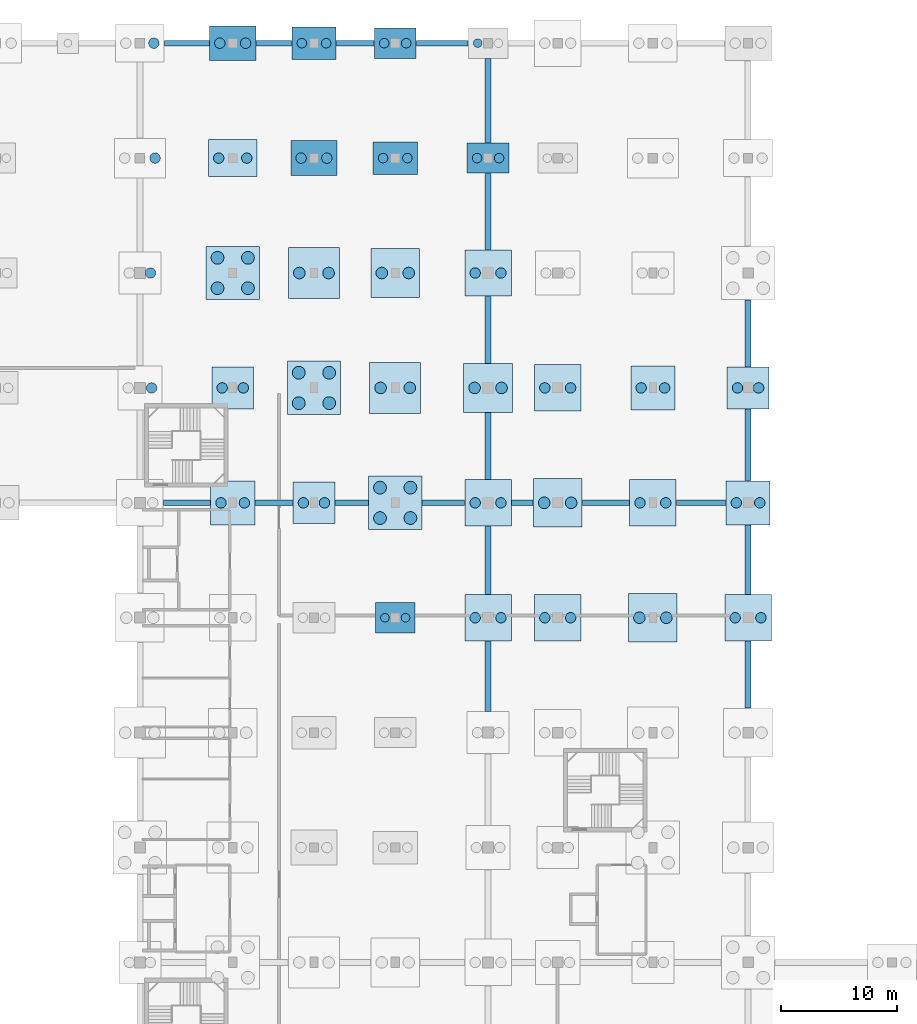
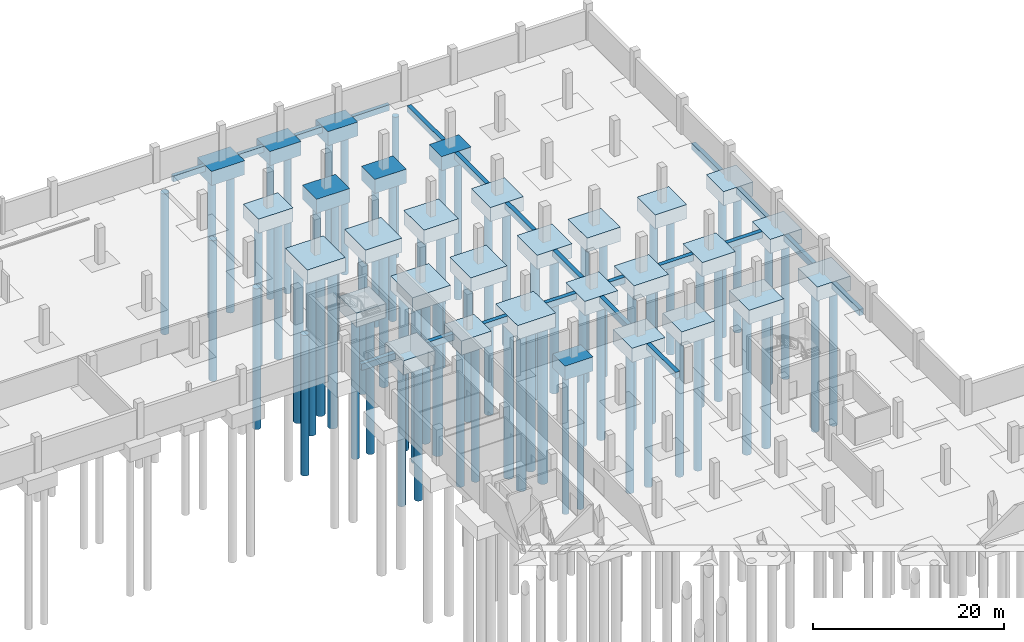
# One storey, part 4 of 30: 71 piles, 51 footings.
"""IFC4 building model written with IfcOpenShell, lengths in metres."""

from ifc_helpers import new_model, si_unit, direction, frame, origin, origin_2d, place, context, subcontext, project, spatial, rectangle, circle, extrude, material, layer, layer_set, material_profile, profile_set, type_object, element, save


model = new_model("IFC4")

# Units and contexts
model_context = context("Model", 3, precision=1e-05, world=origin(), true_north=direction((0.0, 1.0)))
body_context = subcontext(model_context, "Body", "Model", "MODEL_VIEW")
ifc_project = project(units=[si_unit("LENGTHUNIT", "METRE"), si_unit("AREAUNIT", "SQUARE_METRE"), si_unit("VOLUMEUNIT", "CUBIC_METRE"), si_unit("PLANEANGLEUNIT", "RADIAN"), si_unit("MASSUNIT", "GRAM", prefix="KILO")], contexts=[model_context])

# Site, building, storey
site_placement = place(None, origin())
site = spatial("IfcSite", under=ifc_project, at=site_placement, CompositionType="ELEMENT")
building_placement = place(site_placement, origin())
building = spatial("IfcBuilding", under=site, at=building_placement, Name="Sillaruma Civic Art Gallery", CompositionType="ELEMENT")
storey_placement = place(building_placement, frame((0.0, 0.0, -9.179931640625)))
storey = spatial("IfcBuildingStorey", under=building, at=storey_placement, Name="B02", CompositionType="ELEMENT", Elevation=-9.179931640625)

# Footings
ifc_material = material(Name="Concrete H35 (35 MPa)", Category="concrete")
ifc_material_profile_1 = material_profile(ifc_material, rectangle(XDim=0.449951171875, YDim=0.75, at=origin_2d()), Name="RCB450x750")
ifc_profile_set_1 = profile_set([ifc_material_profile_1], Name="Concrete H35 (35 MPa)")
footing_type_1 = type_object("IfcFootingType", Name="FTG-FB-450x750", PredefinedType="FOOTING_BEAM", material=ifc_profile_set_1)
footing_1_placement = place(storey_placement, frame((64.1201171875, 118.800048828125, -0.375), z_axis=(1.0, 0.0, 0.0), x_axis=(0.0, 1.0, 0.0)))
element("IfcFooting", 1, at=footing_1_placement, inside=storey, type_object=footing_type_1, Name="Foundation Tie Beam FB-02 (13:F-G:1)", PredefinedType="FOOTING_BEAM", context=body_context, shape_type="SweptSolid", body=[
    extrude(rectangle(XDim=0.449951171875, YDim=0.75, at=origin_2d()), origin(), (0.0, 0.0, 1.0), 3.85986328125),
])
footing_2_placement = place(storey_placement, frame((72.02001953125, 118.800048828125, -0.375), z_axis=(1.0, 0.0, 0.0), x_axis=(0.0, 1.0, 0.0)))
element("IfcFooting", 2, at=footing_2_placement, inside=storey, type_object=footing_type_1, Name="Foundation Tie Beam FB-02 (13:G-H:1)", PredefinedType="FOOTING_BEAM", context=body_context, shape_type="SweptSolid", body=[
    extrude(rectangle(XDim=0.449951171875, YDim=0.75, at=origin_2d()), origin(), (0.0, 0.0, 1.0), 3.06005859375),
])
footing_3_placement = place(storey_placement, frame((78.919921875, 118.800048828125, -0.375), z_axis=(1.0, 0.0, 0.0), x_axis=(0.0, 1.0, 0.0)))
element("IfcFooting", 3, at=footing_3_placement, inside=storey, type_object=footing_type_1, Name="Foundation Tie Beam FB-02 (13:H-J:1)", PredefinedType="FOOTING_BEAM", context=body_context, shape_type="SweptSolid", body=[
    extrude(rectangle(XDim=0.449951171875, YDim=0.75, at=origin_2d()), origin(), (0.0, 0.0, 1.0), 3.260009765625),
])
footing_4_placement = place(storey_placement, frame((85.820068359375, 118.800048828125, -0.375), z_axis=(1.0, 0.0, 0.0), x_axis=(0.0, 1.0, 0.0)))
element("IfcFooting", 4, at=footing_4_placement, inside=storey, type_object=footing_type_1, Name="Foundation Tie Beam FB-02 (13:J-K:1)", PredefinedType="FOOTING_BEAM", context=body_context, shape_type="SweptSolid", body=[
    extrude(rectangle(XDim=0.449951171875, YDim=0.75, at=origin_2d()), origin(), (0.0, 0.0, 1.0), 4.4599609375),
])
ifc_material_profile_2 = material_profile(ifc_material, rectangle(XDim=0.5, YDim=0.800048828125, at=origin_2d()), Name="RCB500x800")
ifc_profile_set_2 = profile_set([ifc_material_profile_2], Name="Concrete H35 (35 MPa)")
footing_type_2 = type_object("IfcFootingType", Name="FTG-FB-500x800", PredefinedType="FOOTING_BEAM", material=ifc_profile_set_2)
footing_5_placement = place(storey_placement, frame((64.02001953125, 79.199951171875, -0.400146484375), z_axis=(1.0, 0.0, 0.0), x_axis=(0.0, 1.0, 0.0)))
element("IfcFooting", 5, at=footing_5_placement, inside=storey, type_object=footing_type_2, Name="Foundation Tie Beam FB-01 (9:F-G:1)", PredefinedType="FOOTING_BEAM", context=body_context, shape_type="SweptSolid", body=[
    extrude(rectangle(XDim=0.5, YDim=0.800048828125, at=origin_2d()), origin(), (0.0, 0.0, 1.0), 4.06005859375),
])
footing_6_placement = place(storey_placement, frame((71.919921875, 79.199951171875, -0.400146484375), z_axis=(1.0, 0.0, 0.0), x_axis=(0.0, 1.0, 0.0)))
element("IfcFooting", 6, at=footing_6_placement, inside=storey, type_object=footing_type_2, Name="Foundation Tie Beam FB-01 (9:G-H:1)", PredefinedType="FOOTING_BEAM", context=body_context, shape_type="SweptSolid", body=[
    extrude(rectangle(XDim=0.5, YDim=0.800048828125, at=origin_2d()), origin(), (0.0, 0.0, 1.0), 3.260009765625),
])
footing_7_placement = place(storey_placement, frame((78.820068359375, 79.199951171875, -0.400146484375), z_axis=(1.0, 0.0, 0.0), x_axis=(0.0, 1.0, 0.0)))
element("IfcFooting", 7, at=footing_7_placement, inside=storey, type_object=footing_type_2, Name="Foundation Tie Beam FB-01 (9:H-J:1)", PredefinedType="FOOTING_BEAM", context=body_context, shape_type="SweptSolid", body=[
    extrude(rectangle(XDim=0.5, YDim=0.800048828125, at=origin_2d()), origin(), (0.0, 0.0, 1.0), 2.85986328125),
])
footing_8_placement = place(storey_placement, frame((86.320068359375, 79.199951171875, -0.400146484375), z_axis=(1.0, 0.0, 0.0), x_axis=(0.0, 1.0, 0.0)))
element("IfcFooting", 8, at=footing_8_placement, inside=storey, type_object=footing_type_2, Name="Foundation Tie Beam FB-01 (9:J-K:1)", PredefinedType="FOOTING_BEAM", context=body_context, shape_type="SweptSolid", body=[
    extrude(rectangle(XDim=0.5, YDim=0.800048828125, at=origin_2d()), origin(), (0.0, 0.0, 1.0), 3.659912109375),
])
footing_9_placement = place(storey_placement, frame((94.02001953125, 79.199951171875, -0.400146484375), z_axis=(1.0, 0.0, 0.0), x_axis=(0.0, 1.0, 0.0)))
element("IfcFooting", 9, at=footing_9_placement, inside=storey, type_object=footing_type_2, Name="Foundation Tie Beam FB-01 (9:K-L:1)", PredefinedType="FOOTING_BEAM", context=body_context, shape_type="SweptSolid", body=[
    extrude(rectangle(XDim=0.5, YDim=0.800048828125, at=origin_2d()), origin(), (0.0, 0.0, 1.0), 1.85986328125),
])
footing_10_placement = place(storey_placement, frame((100.1201171875, 79.199951171875, -0.400146484375), z_axis=(1.0, 0.0, 0.0), x_axis=(0.0, 1.0, 0.0)))
element("IfcFooting", 10, at=footing_10_placement, inside=storey, type_object=footing_type_2, Name="Foundation Tie Beam FB-01 (9:L-M:1)", PredefinedType="FOOTING_BEAM", context=body_context, shape_type="SweptSolid", body=[
    extrude(rectangle(XDim=0.5, YDim=0.800048828125, at=origin_2d()), origin(), (0.0, 0.0, 1.0), 4.059814453125),
])
footing_11_placement = place(storey_placement, frame((108.219970703125, 79.199951171875, -0.400146484375), z_axis=(1.0, 0.0, 0.0), x_axis=(0.0, 1.0, 0.0)))
element("IfcFooting", 11, at=footing_11_placement, inside=storey, type_object=footing_type_2, Name="Foundation Tie Beam FB-01 (9:M-N:1)", PredefinedType="FOOTING_BEAM", context=body_context, shape_type="SweptSolid", body=[
    extrude(rectangle(XDim=0.5, YDim=0.800048828125, at=origin_2d()), origin(), (0.0, 0.0, 1.0), 4.260009765625),
])
footing_12_placement = place(storey_placement, frame((92.0, 61.219970703125, -0.400146484375), z_axis=(0.0, 1.0, 0.0), x_axis=(-1.0, 0.0, 0.0)))
element("IfcFooting", 12, at=footing_12_placement, inside=storey, type_object=footing_type_2, Name="Foundation Tie Beam FB-01 (K:7-8)", PredefinedType="FOOTING_BEAM", context=body_context, shape_type="SweptSolid", body=[
    extrude(rectangle(XDim=0.5, YDim=0.800048828125, at=origin_2d()), origin(), (0.0, 0.0, 1.0), 6.06005859375),
])
footing_13_placement = place(storey_placement, frame((92.0, 71.320068359375, -0.400146484375), z_axis=(0.0, 1.0, 0.0), x_axis=(-1.0, 0.0, 0.0)))
element("IfcFooting", 13, at=footing_13_placement, inside=storey, type_object=footing_type_2, Name="Foundation Tie Beam FB-01 (K:8-9)", PredefinedType="FOOTING_BEAM", context=body_context, shape_type="SweptSolid", body=[
    extrude(rectangle(XDim=0.5, YDim=0.800048828125, at=origin_2d()), origin(), (0.0, 0.0, 1.0), 5.85986328125),
])
for number, where, z_axis, x_axis, name in (
    (14, (92.0, 81.219970703125, -0.400146484375), (0.0, 1.0, 0.0), (-1.0, 0.0, 0.0), "Foundation Tie Beam FB-01 (K:9-10)"),
    (15, (92.0, 91.219970703125, -0.400146484375), (0.0, 1.0, 0.0), (-1.0, 0.0, 0.0), "Foundation Tie Beam FB-01 (K:10-11)"),
):
    element("IfcFooting", number, at=place(storey_placement, frame(where, z_axis=z_axis, x_axis=x_axis)), inside=storey, type_object=footing_type_2, Name=name, PredefinedType="FOOTING_BEAM", context=body_context, shape_type="SweptSolid", body=[
        extrude(rectangle(XDim=0.5, YDim=0.800048828125, at=origin_2d()), origin(), (0.0, 0.0, 1.0), 5.760009765625),
    ])
footing_14_placement = place(storey_placement, frame((92.0, 101.02001953125, -0.400146484375), z_axis=(0.0, 1.0, 0.0), x_axis=(-1.0, 0.0, 0.0)))
element("IfcFooting", 16, at=footing_14_placement, inside=storey, type_object=footing_type_2, Name="Foundation Tie Beam FB-01 (K:11-12)", PredefinedType="FOOTING_BEAM", context=body_context, shape_type="SweptSolid", body=[
    extrude(rectangle(XDim=0.5, YDim=0.800048828125, at=origin_2d()), origin(), (0.0, 0.0, 1.0), 6.56005859375),
])
footing_15_placement = place(storey_placement, frame((92.0, 110.219970703125, -0.400146484375), z_axis=(0.0, 1.0, 0.0), x_axis=(-1.0, 0.0, 0.0)))
element("IfcFooting", 17, at=footing_15_placement, inside=storey, type_object=footing_type_2, Name="Foundation Tie Beam FB-01 (K:12-13)", PredefinedType="FOOTING_BEAM", context=body_context, shape_type="SweptSolid", body=[
    extrude(rectangle(XDim=0.5, YDim=0.800048828125, at=origin_2d()), origin(), (0.0, 0.0, 1.0), 7.260009765625),
])
footing_16_placement = place(storey_placement, frame((114.39990234375, 61.52001953125, -0.400146484375), z_axis=(0.0, 1.0, 0.0), x_axis=(-1.0, 0.0, 0.0)))
element("IfcFooting", 18, at=footing_16_placement, inside=storey, type_object=footing_type_2, Name="Foundation Tie Beam FB-01 (N:7-8)", PredefinedType="FOOTING_BEAM", context=body_context, shape_type="SweptSolid", body=[
    extrude(rectangle(XDim=0.5, YDim=0.800048828125, at=origin_2d()), origin(), (0.0, 0.0, 1.0), 5.760009765625),
])
footing_17_placement = place(storey_placement, frame((114.39990234375, 71.320068359375, -0.400146484375), z_axis=(0.0, 1.0, 0.0), x_axis=(-1.0, 0.0, 0.0)))
element("IfcFooting", 19, at=footing_17_placement, inside=storey, type_object=footing_type_2, Name="Foundation Tie Beam FB-01 (N:8-9)", PredefinedType="FOOTING_BEAM", context=body_context, shape_type="SweptSolid", body=[
    extrude(rectangle(XDim=0.5, YDim=0.800048828125, at=origin_2d()), origin(), (0.0, 0.0, 1.0), 5.9599609375),
])
footing_18_placement = place(storey_placement, frame((114.39990234375, 81.1201171875, -0.400146484375), z_axis=(0.0, 1.0, 0.0), x_axis=(-1.0, 0.0, 0.0)))
element("IfcFooting", 20, at=footing_18_placement, inside=storey, type_object=footing_type_2, Name="Foundation Tie Beam FB-01 (N:9-10)", PredefinedType="FOOTING_BEAM", context=body_context, shape_type="SweptSolid", body=[
    extrude(rectangle(XDim=0.5, YDim=0.800048828125, at=origin_2d()), origin(), (0.0, 0.0, 1.0), 6.159912109375),
])
footing_19_placement = place(storey_placement, frame((114.39990234375, 90.919921875, -0.400146484375), z_axis=(0.0, 1.0, 0.0), x_axis=(-1.0, 0.0, 0.0)))
element("IfcFooting", 21, at=footing_19_placement, inside=storey, type_object=footing_type_2, Name="Foundation Tie Beam FB-01 (N:10-11)", PredefinedType="FOOTING_BEAM", context=body_context, shape_type="SweptSolid", body=[
    extrude(rectangle(XDim=0.5, YDim=0.800048828125, at=origin_2d()), origin(), (0.0, 0.0, 1.0), 5.760009765625),
])
ifc_layer_1 = layer(ifc_material, 1.800048828125, Name="Concrete H35 (35 MPa)")
ifc_layer_set_1 = layer_set([ifc_layer_1], Name="Concrete H35 (35 MPa)")
footing_type_3 = type_object("IfcFootingType", Name="FTG-PC-34x26", PredefinedType="PILE_CAP", material=ifc_layer_set_1)
footing_20_placement = place(storey_placement, frame((84.0, 69.300048828125, -1.80029296875), z_axis=(0.0, 0.0, 1.0), x_axis=(1.0, 0.0, 0.0)))
element("IfcFooting", 22, at=footing_20_placement, inside=storey, type_object=footing_type_3, Name="Pile Cap PC-12 (J8)", PredefinedType="PILE_CAP", context=body_context, shape_type="SweptSolid", body=[
    extrude(rectangle(XDim=3.39990234375, YDim=2.60009765625, at=origin_2d()), origin(), (0.0, 0.0, 1.0), 1.800048828125),
])
ifc_layer_2 = layer(ifc_material, 1.800048828125, Name="Concrete H35 (35 MPa)")
ifc_layer_set_2 = layer_set([ifc_layer_2], Name="Concrete H35 (35 MPa)")
footing_type_4 = type_object("IfcFootingType", Name="FTG-PC-36x26", PredefinedType="PILE_CAP", material=ifc_layer_set_2)
for number, where, z_axis, x_axis, name in (
    (23, (84.0, 118.800048828125, -1.80029296875), (0.0, 0.0, 1.0), (1.0, 0.0, 0.0), "Pile Cap PC-11 (J13)"),
    (24, (92.0, 108.89990234375, -1.80029296875), (0.0, 0.0, 1.0), (1.0, 0.0, 0.0), "Pile Cap PC-11 (K12)"),
):
    element("IfcFooting", number, at=place(storey_placement, frame(where, z_axis=z_axis, x_axis=x_axis)), inside=storey, type_object=footing_type_4, Name=name, PredefinedType="PILE_CAP", context=body_context, shape_type="SweptSolid", body=[
        extrude(rectangle(XDim=3.60009765625, YDim=2.60009765625, at=origin_2d()), origin(), (0.0, 0.0, 1.0), 1.800048828125),
    ])
ifc_layer_3 = layer(ifc_material, 1.800048828125, Name="Concrete H35 (35 MPa)")
ifc_layer_set_3 = layer_set([ifc_layer_3], Name="Concrete H35 (35 MPa)")
footing_type_5 = type_object("IfcFootingType", Name="FTG-PC-36x36", PredefinedType="PILE_CAP", material=ifc_layer_set_3)
for number, where, z_axis, x_axis, name in (
    (25, (70.0, 89.10009765625, -1.80029296875), (0.0, 0.0, 1.0), (1.0, 0.0, 0.0), "Pile Cap PC-06 (G10)"),
    (26, (77.0, 79.199951171875, -1.80029296875), (0.0, 0.0, 1.0), (1.0, 0.0, 0.0), "Pile Cap PC-06 (H9)"),
    (27, (114.39990234375, 89.10009765625, -1.80029296875), (0.0, 0.0, 1.0), (1.0, 0.0, 0.0), "Pile Cap PC-06 (N10)"),
):
    element("IfcFooting", number, at=place(storey_placement, frame(where, z_axis=z_axis, x_axis=x_axis)), inside=storey, type_object=footing_type_5, Name=name, PredefinedType="PILE_CAP", context=body_context, shape_type="SweptSolid", body=[
        extrude(rectangle(XDim=3.60009765625, YDim=3.60009765625, at=origin_2d()), origin(), (0.0, 0.0, 1.0), 1.800048828125),
    ])
ifc_layer_4 = layer(ifc_material, 1.800048828125, Name="Concrete H35 (35 MPa)")
ifc_layer_set_4 = layer_set([ifc_layer_4], Name="Concrete H35 (35 MPa)")
footing_type_6 = type_object("IfcFootingType", Name="FTG-PC-38x28", PredefinedType="PILE_CAP", material=ifc_layer_set_4)
for number, where, z_axis, x_axis, name in (
    (28, (77.0, 118.800048828125, -1.80029296875), (0.0, 0.0, 1.0), (1.0, 0.0, 0.0), "Pile Cap PC-10 (H13)"),
    (29, (84.0, 108.89990234375, -1.80029296875), (0.0, 0.0, 1.0), (1.0, 0.0, 0.0), "Pile Cap PC-10 (J12)"),
):
    element("IfcFooting", number, at=place(storey_placement, frame(where, z_axis=z_axis, x_axis=x_axis)), inside=storey, type_object=footing_type_6, Name=name, PredefinedType="PILE_CAP", context=body_context, shape_type="SweptSolid", body=[
        extrude(rectangle(XDim=3.800048828125, YDim=2.800048828125, at=origin_2d()), origin(), (0.0, 0.0, 1.0), 1.800048828125),
    ])
ifc_layer_5 = layer(ifc_material, 1.800048828125, Name="Concrete H35 (35 MPa)")
ifc_layer_set_5 = layer_set([ifc_layer_5], Name="Concrete H35 (35 MPa)")
footing_type_7 = type_object("IfcFootingType", Name="FTG-PC-38x38", PredefinedType="PILE_CAP", material=ifc_layer_set_5)
for number, where, z_axis, x_axis, name in (
    (30, (70.0, 79.199951171875, -1.80029296875), (0.0, 0.0, 1.0), (1.0, 0.0, 0.0), "Pile Cap PC-05 (G9)"),
    (31, (106.199951171875, 89.10009765625, -1.80029296875), (0.0, 0.0, 1.0), (1.0, 0.0, 0.0), "Pile Cap PC-05 (M10)"),
    (32, (114.39990234375, 79.199951171875, -1.80029296875), (0.0, 0.0, 1.0), (1.0, 0.0, 0.0), "Pile Cap PC-05 (N9)"),
):
    element("IfcFooting", number, at=place(storey_placement, frame(where, z_axis=z_axis, x_axis=x_axis)), inside=storey, type_object=footing_type_7, Name=name, PredefinedType="PILE_CAP", context=body_context, shape_type="SweptSolid", body=[
        extrude(rectangle(XDim=3.800048828125, YDim=3.800048828125, at=origin_2d()), origin(), (0.0, 0.0, 1.0), 1.800048828125),
    ])
ifc_layer_6 = layer(ifc_material, 1.800048828125, Name="Concrete H35 (35 MPa)")
ifc_layer_set_6 = layer_set([ifc_layer_6], Name="Concrete H35 (35 MPa)")
footing_type_8 = type_object("IfcFootingType", Name="FTG-PC-40x30", PredefinedType="PILE_CAP", material=ifc_layer_set_6)
for number, where, z_axis, x_axis, name in (
    (33, (70.0, 118.800048828125, -1.80029296875), (0.0, 0.0, 1.0), (1.0, 0.0, 0.0), "Pile Cap PC-09 (G13)"),
    (34, (77.0, 108.89990234375, -1.80029296875), (0.0, 0.0, 1.0), (1.0, 0.0, 0.0), "Pile Cap PC-09 (H12)"),
):
    element("IfcFooting", number, at=place(storey_placement, frame(where, z_axis=z_axis, x_axis=x_axis)), inside=storey, type_object=footing_type_8, Name=name, PredefinedType="PILE_CAP", context=body_context, shape_type="SweptSolid", body=[
        extrude(rectangle(XDim=4.0, YDim=3.0, at=origin_2d()), origin(), (0.0, 0.0, 1.0), 1.800048828125),
    ])
ifc_layer_7 = layer(ifc_material, 1.800048828125, Name="Concrete H35 (35 MPa)")
ifc_layer_set_7 = layer_set([ifc_layer_7], Name="Concrete H35 (35 MPa)")
footing_type_9 = type_object("IfcFootingType", Name="FTG-PC-40x40", PredefinedType="PILE_CAP", material=ifc_layer_set_7)
for number, where, z_axis, x_axis, name in (
    (35, (92.0, 69.300048828125, -1.80029296875), (0.0, 0.0, 1.0), (1.0, 0.0, 0.0), "Pile Cap PC-04 (K8)"),
    (36, (92.0, 79.199951171875, -1.80029296875), (0.0, 0.0, 1.0), (1.0, 0.0, 0.0), "Pile Cap PC-04 (K9)"),
    (37, (92.0, 99.0, -1.80029296875), (0.0, 0.0, 1.0), (1.0, 0.0, 0.0), "Pile Cap PC-04 (K11)"),
    (38, (98.0, 69.300048828125, -1.80029296875), (0.0, 0.0, 1.0), (1.0, 0.0, 0.0), "Pile Cap PC-04 (L8)"),
    (39, (98.0, 89.10009765625, -1.80029296875), (0.0, 0.0, 1.0), (1.0, 0.0, 0.0), "Pile Cap PC-04 (L10)"),
    (40, (106.199951171875, 79.199951171875, -1.80029296875), (0.0, 0.0, 1.0), (1.0, 0.0, 0.0), "Pile Cap PC-04 (M9)"),
    (41, (114.39990234375, 69.300048828125, -1.80029296875), (0.0, 0.0, 1.0), (1.0, 0.0, 0.0), "Pile Cap PC-04 (N8)"),
):
    element("IfcFooting", number, at=place(storey_placement, frame(where, z_axis=z_axis, x_axis=x_axis)), inside=storey, type_object=footing_type_9, Name=name, PredefinedType="PILE_CAP", context=body_context, shape_type="SweptSolid", body=[
        extrude(rectangle(XDim=4.0, YDim=4.0, at=origin_2d()), origin(), (0.0, 0.0, 1.0), 1.800048828125),
    ])
ifc_layer_8 = layer(ifc_material, 1.800048828125, Name="Concrete H35 (35 MPa)")
ifc_layer_set_8 = layer_set([ifc_layer_8], Name="Concrete H35 (35 MPa)")
footing_type_10 = type_object("IfcFootingType", Name="FTG-PC-42x32", PredefinedType="PILE_CAP", material=ifc_layer_set_8)
footing_21_placement = place(storey_placement, frame((70.0, 108.89990234375, -1.80029296875), z_axis=(0.0, 0.0, 1.0), x_axis=(1.0, 0.0, 0.0)))
element("IfcFooting", 42, at=footing_21_placement, inside=storey, type_object=footing_type_10, Name="Pile Cap PC-08 (G12)", PredefinedType="PILE_CAP", context=body_context, shape_type="SweptSolid", body=[
    extrude(rectangle(XDim=4.199951171875, YDim=3.199951171875, at=origin_2d()), origin(), (0.0, 0.0, 1.0), 1.800048828125),
])
ifc_layer_9 = layer(ifc_material, 1.800048828125, Name="Concrete H35 (35 MPa)")
ifc_layer_set_9 = layer_set([ifc_layer_9], Name="Concrete H35 (35 MPa)")
footing_type_11 = type_object("IfcFootingType", Name="FTG-PC-42x42", PredefinedType="PILE_CAP", material=ifc_layer_set_9)
for number, where, z_axis, x_axis, name in (
    (43, (84.0, 99.0, -1.80029296875), (0.0, 0.0, 1.0), (1.0, 0.0, 0.0), "Pile Cap PC-03 (J11)"),
    (44, (92.0, 89.10009765625, -1.80029296875), (0.0, 0.0, 1.0), (1.0, 0.0, 0.0), "Pile Cap PC-03 (K10)"),
    (45, (98.0, 79.199951171875, -1.80029296875), (0.0, 0.0, 1.0), (1.0, 0.0, 0.0), "Pile Cap PC-03 (L9)"),
    (46, (106.199951171875, 69.300048828125, -1.80029296875), (0.0, 0.0, 1.0), (1.0, 0.0, 0.0), "Pile Cap PC-03 (M8)"),
):
    element("IfcFooting", number, at=place(storey_placement, frame(where, z_axis=z_axis, x_axis=x_axis)), inside=storey, type_object=footing_type_11, Name=name, PredefinedType="PILE_CAP", context=body_context, shape_type="SweptSolid", body=[
        extrude(rectangle(XDim=4.199951171875, YDim=4.199951171875, at=origin_2d()), origin(), (0.0, 0.0, 1.0), 1.800048828125),
    ])
ifc_layer_10 = layer(ifc_material, 1.800048828125, Name="Concrete H35 (35 MPa)")
ifc_layer_set_10 = layer_set([ifc_layer_10], Name="Concrete H35 (35 MPa)")
footing_type_12 = type_object("IfcFootingType", Name="FTG-PC-44x44", PredefinedType="PILE_CAP", material=ifc_layer_set_10)
for number, where, z_axis, x_axis, name in (
    (47, (77.0, 99.0, -1.80029296875), (0.0, 0.0, 1.0), (1.0, 0.0, 0.0), "Pile Cap PC-02 (H11)"),
    (48, (84.0, 89.10009765625, -1.80029296875), (0.0, 0.0, 1.0), (1.0, 0.0, 0.0), "Pile Cap PC-02 (J10)"),
):
    element("IfcFooting", number, at=place(storey_placement, frame(where, z_axis=z_axis, x_axis=x_axis)), inside=storey, type_object=footing_type_12, Name=name, PredefinedType="PILE_CAP", context=body_context, shape_type="SweptSolid", body=[
        extrude(rectangle(XDim=4.39990234375, YDim=4.39990234375, at=origin_2d()), origin(), (0.0, 0.0, 1.0), 1.800048828125),
    ])
ifc_layer_11 = layer(ifc_material, 1.800048828125, Name="Concrete H35 (35 MPa)")
ifc_layer_set_11 = layer_set([ifc_layer_11], Name="Concrete H35 (35 MPa)")
footing_type_13 = type_object("IfcFootingType", Name="FTG-PC-46x46", PredefinedType="PILE_CAP", material=ifc_layer_set_11)
for number, where, z_axis, x_axis, name in (
    (49, (70.0, 99.0, -1.80029296875), (0.0, 0.0, 1.0), (1.0, 0.0, 0.0), "Pile Cap PC-01 (G11)"),
    (50, (77.0, 89.10009765625, -1.80029296875), (0.0, 0.0, 1.0), (1.0, 0.0, 0.0), "Pile Cap PC-01 (H10)"),
    (51, (84.0, 79.199951171875, -1.80029296875), (0.0, 0.0, 1.0), (1.0, 0.0, 0.0), "Pile Cap PC-01 (J9)"),
):
    element("IfcFooting", number, at=place(storey_placement, frame(where, z_axis=z_axis, x_axis=x_axis)), inside=storey, type_object=footing_type_13, Name=name, PredefinedType="PILE_CAP", context=body_context, shape_type="SweptSolid", body=[
        extrude(rectangle(XDim=4.60009765625, YDim=4.60009765625, at=origin_2d()), origin(), (0.0, 0.0, 1.0), 1.800048828125),
    ])

# Piles
ifc_material_profile_3 = material_profile(ifc_material, circle(Radius=0.5, at=origin_2d()), Name="PILE1000")
ifc_profile_set_3 = profile_set([ifc_material_profile_3], Name="Concrete H35 (35 MPa)")
pile_type_1 = type_object("IfcPileType", Name="PIL-BORED-PILE1000", PredefinedType="BORED", material=ifc_profile_set_3)
for number, where, z_axis, x_axis, name in (
    (52, (75.739990234375, 99.0, -1.800048828125), (0.0, 0.0, -1.0), (1.0, 0.0, 0.0), "Bored Pile PL-B1000 (H11-1)"),
    (53, (78.260009765625, 99.0, -1.800048828125), (0.0, 0.0, -1.0), (1.0, 0.0, 0.0), "Bored Pile PL-B1000 (H11-2)"),
    (54, (82.739990234375, 89.10009765625, -1.800048828125), (0.0, 0.0, -1.0), (1.0, 0.0, 0.0), "Bored Pile PL-B1000 (J10-1)"),
    (55, (85.260009765625, 89.10009765625, -1.800048828125), (0.0, 0.0, -1.0), (1.0, 0.0, 0.0), "Bored Pile PL-B1000 (J10-2)"),
    (56, (82.840087890625, 99.0, -1.800048828125), (0.0, 0.0, -1.0), (1.0, 0.0, 0.0), "Bored Pile PL-B1000 (J11-1)"),
    (57, (85.159912109375, 99.0, -1.800048828125), (0.0, 0.0, -1.0), (1.0, 0.0, 0.0), "Bored Pile PL-B1000 (J11-2)"),
    (58, (90.840087890625, 89.10009765625, -1.800048828125), (0.0, 0.0, -1.0), (1.0, 0.0, 0.0), "Bored Pile PL-B1000 (K10-1)"),
    (59, (93.159912109375, 89.10009765625, -1.800048828125), (0.0, 0.0, -1.0), (1.0, 0.0, 0.0), "Bored Pile PL-B1000 (K10-2)"),
    (60, (96.840087890625, 79.199951171875, -1.800048828125), (0.0, 0.0, -1.0), (1.0, 0.0, 0.0), "Bored Pile PL-B1000 (L9-1)"),
    (61, (99.159912109375, 79.199951171875, -1.800048828125), (0.0, 0.0, -1.0), (1.0, 0.0, 0.0), "Bored Pile PL-B1000 (L9-2)"),
    (62, (105.0400390625, 69.300048828125, -1.800048828125), (0.0, 0.0, -1.0), (1.0, 0.0, 0.0), "Bored Pile PL-B1000 (M8-1)"),
    (63, (107.360107421875, 69.300048828125, -1.800048828125), (0.0, 0.0, -1.0), (1.0, 0.0, 0.0), "Bored Pile PL-B1000 (M8-2)"),
):
    element("IfcPile", number, at=place(storey_placement, frame(where, z_axis=z_axis, x_axis=x_axis)), inside=storey, type_object=pile_type_1, Name=name, PredefinedType="BORED", context=body_context, shape_type="SweptSolid", body=[
        extrude(circle(Radius=0.5, at=origin_2d()), origin(), (0.0, 0.0, 1.0), 18.0),
    ])
ifc_material_profile_4 = material_profile(ifc_material, circle(Radius=0.550048828125, at=origin_2d()), Name="PILE1100")
ifc_profile_set_4 = profile_set([ifc_material_profile_4], Name="Concrete H35 (35 MPa)")
pile_type_2 = type_object("IfcPileType", Name="PIL-BORED-PILE1100", PredefinedType="BORED", material=ifc_profile_set_4)
for number, where, z_axis, x_axis, name in (
    (64, (68.68994140625, 97.68994140625, -1.800048828125), (0.0, 0.0, -1.0), (1.0, 0.0, 0.0), "Bored Pile PL-B1100 (G11-1)"),
    (65, (71.31005859375, 97.68994140625, -1.800048828125), (0.0, 0.0, -1.0), (1.0, 0.0, 0.0), "Bored Pile PL-B1100 (G11-2)"),
    (66, (68.68994140625, 100.31005859375, -1.800048828125), (0.0, 0.0, -1.0), (1.0, 0.0, 0.0), "Bored Pile PL-B1100 (G11-3)"),
    (67, (71.31005859375, 100.31005859375, -1.800048828125), (0.0, 0.0, -1.0), (1.0, 0.0, 0.0), "Bored Pile PL-B1100 (G11-4)"),
    (68, (75.68994140625, 87.7900390625, -1.800048828125), (0.0, 0.0, -1.0), (1.0, 0.0, 0.0), "Bored Pile PL-B1100 (H10-1)"),
    (69, (78.31005859375, 87.7900390625, -1.800048828125), (0.0, 0.0, -1.0), (1.0, 0.0, 0.0), "Bored Pile PL-B1100 (H10-2)"),
    (70, (75.68994140625, 90.409912109375, -1.800048828125), (0.0, 0.0, -1.0), (1.0, 0.0, 0.0), "Bored Pile PL-B1100 (H10-3)"),
    (71, (78.31005859375, 90.409912109375, -1.800048828125), (0.0, 0.0, -1.0), (1.0, 0.0, 0.0), "Bored Pile PL-B1100 (H10-4)"),
    (72, (82.68994140625, 77.889892578125, -1.800048828125), (0.0, 0.0, -1.0), (1.0, 0.0, 0.0), "Bored Pile PL-B1100 (J9-1)"),
    (73, (85.31005859375, 77.889892578125, -1.800048828125), (0.0, 0.0, -1.0), (1.0, 0.0, 0.0), "Bored Pile PL-B1100 (J9-2)"),
    (74, (82.68994140625, 80.510009765625, -1.800048828125), (0.0, 0.0, -1.0), (1.0, 0.0, 0.0), "Bored Pile PL-B1100 (J9-3)"),
    (75, (85.31005859375, 80.510009765625, -1.800048828125), (0.0, 0.0, -1.0), (1.0, 0.0, 0.0), "Bored Pile PL-B1100 (J9-4)"),
):
    element("IfcPile", number, at=place(storey_placement, frame(where, z_axis=z_axis, x_axis=x_axis)), inside=storey, type_object=pile_type_2, Name=name, PredefinedType="BORED", context=body_context, shape_type="SweptSolid", body=[
        extrude(circle(Radius=0.550048828125, at=origin_2d()), origin(), (0.0, 0.0, 1.0), 20.0),
    ])
ifc_material_profile_5 = material_profile(ifc_material, circle(Radius=0.3701171875, at=origin_2d()), Name="PILE740")
ifc_profile_set_5 = profile_set([ifc_material_profile_5], Name="Concrete H35 (35 MPa)")
pile_type_3 = type_object("IfcPileType", Name="PIL-BORED-PILE740", PredefinedType="BORED", material=ifc_profile_set_5)
for number, where, z_axis, x_axis, name in (
    (76, (83.110107421875, 69.300048828125, -1.800048828125), (0.0, 0.0, -1.0), (1.0, 0.0, 0.0), "Bored Pile PL-B740 (J8-1)"),
    (77, (84.889892578125, 69.300048828125, -1.800048828125), (0.0, 0.0, -1.0), (1.0, 0.0, 0.0), "Bored Pile PL-B740 (J8-2)"),
    (78, (91.110107421875, 118.800048828125, -1.800048828125), (0.0, 0.0, -1.0), (1.0, 0.0, 0.0), "Bored Pile PL-B740 (K13-1)"),
):
    element("IfcPile", number, at=place(storey_placement, frame(where, z_axis=z_axis, x_axis=x_axis)), inside=storey, type_object=pile_type_3, Name=name, PredefinedType="BORED", context=body_context, shape_type="SweptSolid", body=[
        extrude(circle(Radius=0.3701171875, at=origin_2d()), origin(), (0.0, 0.0, 1.0), 18.0),
    ])
ifc_material_profile_6 = material_profile(ifc_material, circle(Radius=0.409912109375, at=origin_2d()), Name="PILE820")
ifc_profile_set_6 = profile_set([ifc_material_profile_6], Name="Concrete H35 (35 MPa)")
pile_type_4 = type_object("IfcPileType", Name="PIL-BORED-PILE820", PredefinedType="BORED", material=ifc_profile_set_6)
for number, where, z_axis, x_axis, name in (
    (79, (75.949951171875, 118.800048828125, -1.800048828125), (0.0, 0.0, -1.0), (1.0, 0.0, 0.0), "Bored Pile PL-B820 (H13-1)"),
    (80, (78.050048828125, 118.800048828125, -1.800048828125), (0.0, 0.0, -1.0), (1.0, 0.0, 0.0), "Bored Pile PL-B820 (H13-2)"),
    (81, (82.949951171875, 108.89990234375, -1.800048828125), (0.0, 0.0, -1.0), (1.0, 0.0, 0.0), "Bored Pile PL-B820 (J12-1)"),
    (82, (85.050048828125, 108.89990234375, -1.800048828125), (0.0, 0.0, -1.0), (1.0, 0.0, 0.0), "Bored Pile PL-B820 (J12-2)"),
    (83, (83.050048828125, 118.800048828125, -1.800048828125), (0.0, 0.0, -1.0), (1.0, 0.0, 0.0), "Bored Pile PL-B820 (J13-1)"),
    (84, (84.949951171875, 118.800048828125, -1.800048828125), (0.0, 0.0, -1.0), (1.0, 0.0, 0.0), "Bored Pile PL-B820 (J13-2)"),
    (85, (91.050048828125, 108.89990234375, -1.800048828125), (0.0, 0.0, -1.0), (1.0, 0.0, 0.0), "Bored Pile PL-B820 (K12-1)"),
    (86, (92.949951171875, 108.89990234375, -1.800048828125), (0.0, 0.0, -1.0), (1.0, 0.0, 0.0), "Bored Pile PL-B820 (K12-2)"),
):
    element("IfcPile", number, at=place(storey_placement, frame(where, z_axis=z_axis, x_axis=x_axis)), inside=storey, type_object=pile_type_4, Name=name, PredefinedType="BORED", context=body_context, shape_type="SweptSolid", body=[
        extrude(circle(Radius=0.409912109375, at=origin_2d()), origin(), (0.0, 0.0, 1.0), 18.0),
    ])
ifc_material_profile_7 = material_profile(ifc_material, circle(Radius=0.449951171875, at=origin_2d()), Name="PILE900")
ifc_profile_set_7 = profile_set([ifc_material_profile_7], Name="Concrete H35 (35 MPa)")
pile_type_5 = type_object("IfcPileType", Name="PIL-BORED-PILE900", PredefinedType="BORED", material=ifc_profile_set_7)
for number, where, z_axis, x_axis, name in (
    (87, (63.010009765625, 89.10009765625, -1.800048828125), (0.0, 0.0, -1.0), (1.0, 0.0, 0.0), "Bored Pile PL-B900 (F10-2)"),
    (88, (62.909912109375, 99.0, -1.800048828125), (0.0, 0.0, -1.0), (1.0, 0.0, 0.0), "Bored Pile PL-B900 (F11-2)"),
    (89, (63.31005859375, 108.89990234375, -1.800048828125), (0.0, 0.0, -1.0), (1.0, 0.0, 0.0), "Bored Pile PL-B900 (F12-2)"),
    (90, (63.2099609375, 118.800048828125, -1.800048828125), (0.0, 0.0, -1.0), (1.0, 0.0, 0.0), "Bored Pile PL-B900 (F13-2)"),
    (91, (68.989990234375, 79.199951171875, -1.800048828125), (0.0, 0.0, -1.0), (1.0, 0.0, 0.0), "Bored Pile PL-B900 (G9-1)"),
    (92, (71.010009765625, 79.199951171875, -1.800048828125), (0.0, 0.0, -1.0), (1.0, 0.0, 0.0), "Bored Pile PL-B900 (G9-2)"),
    (93, (69.090087890625, 89.10009765625, -1.800048828125), (0.0, 0.0, -1.0), (1.0, 0.0, 0.0), "Bored Pile PL-B900 (G10-1)"),
    (94, (70.909912109375, 89.10009765625, -1.800048828125), (0.0, 0.0, -1.0), (1.0, 0.0, 0.0), "Bored Pile PL-B900 (G10-2)"),
    (95, (68.7900390625, 108.89990234375, -1.800048828125), (0.0, 0.0, -1.0), (1.0, 0.0, 0.0), "Bored Pile PL-B900 (G12-1)"),
    (96, (71.2099609375, 108.89990234375, -1.800048828125), (0.0, 0.0, -1.0), (1.0, 0.0, 0.0), "Bored Pile PL-B900 (G12-2)"),
    (97, (68.889892578125, 118.800048828125, -1.800048828125), (0.0, 0.0, -1.0), (1.0, 0.0, 0.0), "Bored Pile PL-B900 (G13-1)"),
    (98, (71.110107421875, 118.800048828125, -1.800048828125), (0.0, 0.0, -1.0), (1.0, 0.0, 0.0), "Bored Pile PL-B900 (G13-2)"),
    (99, (76.090087890625, 79.199951171875, -1.800048828125), (0.0, 0.0, -1.0), (1.0, 0.0, 0.0), "Bored Pile PL-B900 (H9-1)"),
    (100, (77.909912109375, 79.199951171875, -1.800048828125), (0.0, 0.0, -1.0), (1.0, 0.0, 0.0), "Bored Pile PL-B900 (H9-2)"),
    (101, (75.889892578125, 108.89990234375, -1.800048828125), (0.0, 0.0, -1.0), (1.0, 0.0, 0.0), "Bored Pile PL-B900 (H12-1)"),
    (102, (78.110107421875, 108.89990234375, -1.800048828125), (0.0, 0.0, -1.0), (1.0, 0.0, 0.0), "Bored Pile PL-B900 (H12-2)"),
    (103, (90.889892578125, 69.300048828125, -1.800048828125), (0.0, 0.0, -1.0), (1.0, 0.0, 0.0), "Bored Pile PL-B900 (K8-1)"),
    (104, (93.110107421875, 69.300048828125, -1.800048828125), (0.0, 0.0, -1.0), (1.0, 0.0, 0.0), "Bored Pile PL-B900 (K8-2)"),
    (105, (90.889892578125, 79.199951171875, -1.800048828125), (0.0, 0.0, -1.0), (1.0, 0.0, 0.0), "Bored Pile PL-B900 (K9-1)"),
    (106, (93.110107421875, 79.199951171875, -1.800048828125), (0.0, 0.0, -1.0), (1.0, 0.0, 0.0), "Bored Pile PL-B900 (K9-2)"),
    (107, (90.889892578125, 99.0, -1.800048828125), (0.0, 0.0, -1.0), (1.0, 0.0, 0.0), "Bored Pile PL-B900 (K11-1)"),
    (108, (93.110107421875, 99.0, -1.800048828125), (0.0, 0.0, -1.0), (1.0, 0.0, 0.0), "Bored Pile PL-B900 (K11-2)"),
    (109, (96.889892578125, 69.300048828125, -1.800048828125), (0.0, 0.0, -1.0), (1.0, 0.0, 0.0), "Bored Pile PL-B900 (L8-1)"),
    (110, (99.110107421875, 69.300048828125, -1.800048828125), (0.0, 0.0, -1.0), (1.0, 0.0, 0.0), "Bored Pile PL-B900 (L8-2)"),
    (111, (96.889892578125, 89.10009765625, -1.800048828125), (0.0, 0.0, -1.0), (1.0, 0.0, 0.0), "Bored Pile PL-B900 (L10-1)"),
    (112, (99.110107421875, 89.10009765625, -1.800048828125), (0.0, 0.0, -1.0), (1.0, 0.0, 0.0), "Bored Pile PL-B900 (L10-2)"),
    (113, (105.090087890625, 79.199951171875, -1.800048828125), (0.0, 0.0, -1.0), (1.0, 0.0, 0.0), "Bored Pile PL-B900 (M9-1)"),
    (114, (107.31005859375, 79.199951171875, -1.800048828125), (0.0, 0.0, -1.0), (1.0, 0.0, 0.0), "Bored Pile PL-B900 (M9-2)"),
    (115, (105.18994140625, 89.10009765625, -1.800048828125), (0.0, 0.0, -1.0), (1.0, 0.0, 0.0), "Bored Pile PL-B900 (M10-1)"),
    (116, (107.2099609375, 89.10009765625, -1.800048828125), (0.0, 0.0, -1.0), (1.0, 0.0, 0.0), "Bored Pile PL-B900 (M10-2)"),
    (117, (113.2900390625, 69.300048828125, -1.800048828125), (0.0, 0.0, -1.0), (1.0, 0.0, 0.0), "Bored Pile PL-B900 (N8-1)"),
    (118, (115.510009765625, 69.300048828125, -1.800048828125), (0.0, 0.0, -1.0), (1.0, 0.0, 0.0), "Bored Pile PL-B900 (N8-2)"),
    (119, (113.389892578125, 79.199951171875, -1.800048828125), (0.0, 0.0, -1.0), (1.0, 0.0, 0.0), "Bored Pile PL-B900 (N9-1)"),
    (120, (115.409912109375, 79.199951171875, -1.800048828125), (0.0, 0.0, -1.0), (1.0, 0.0, 0.0), "Bored Pile PL-B900 (N9-2)"),
    (121, (113.489990234375, 89.10009765625, -1.800048828125), (0.0, 0.0, -1.0), (1.0, 0.0, 0.0), "Bored Pile PL-B900 (N10-1)"),
    (122, (115.31005859375, 89.10009765625, -1.800048828125), (0.0, 0.0, -1.0), (1.0, 0.0, 0.0), "Bored Pile PL-B900 (N10-2)"),
):
    element("IfcPile", number, at=place(storey_placement, frame(where, z_axis=z_axis, x_axis=x_axis)), inside=storey, type_object=pile_type_5, Name=name, PredefinedType="BORED", context=body_context, shape_type="SweptSolid", body=[
        extrude(circle(Radius=0.449951171875, at=origin_2d()), origin(), (0.0, 0.0, 1.0), 18.0),
    ])

save(model, "model.ifc")
